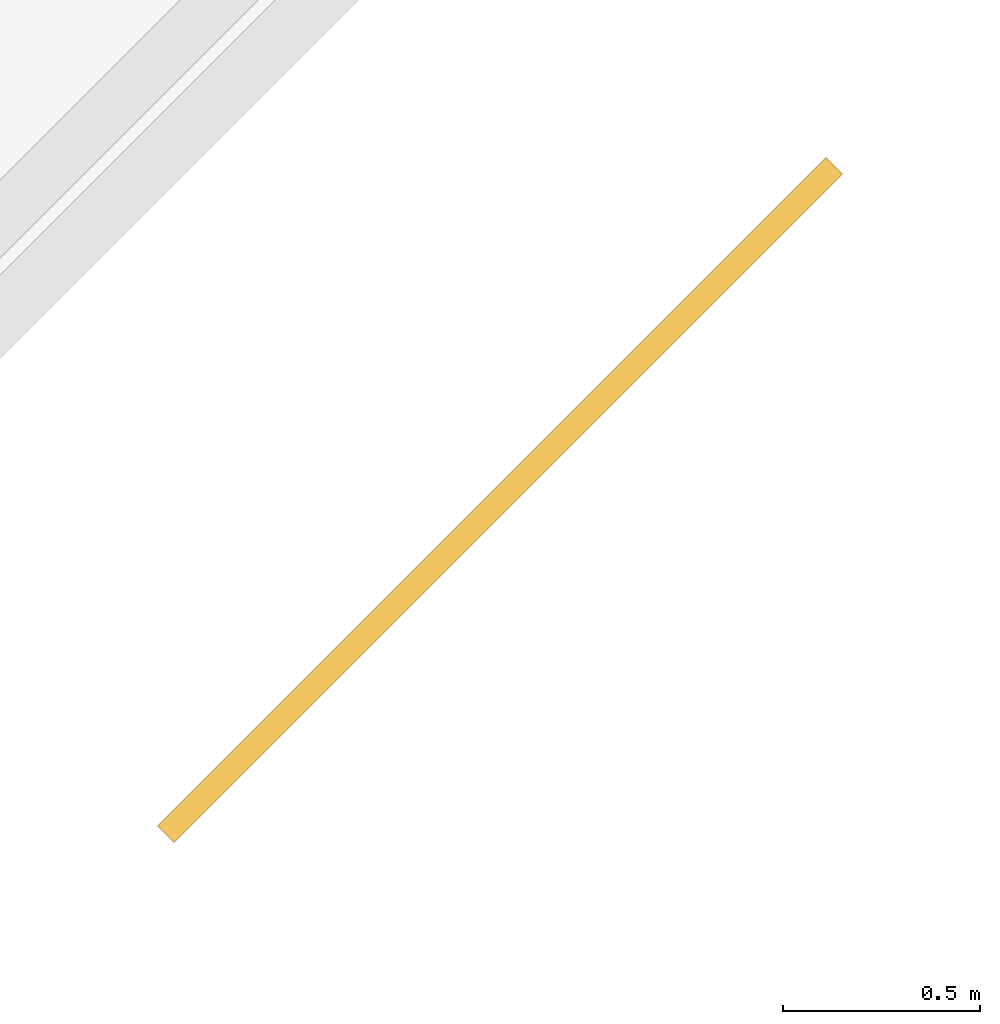
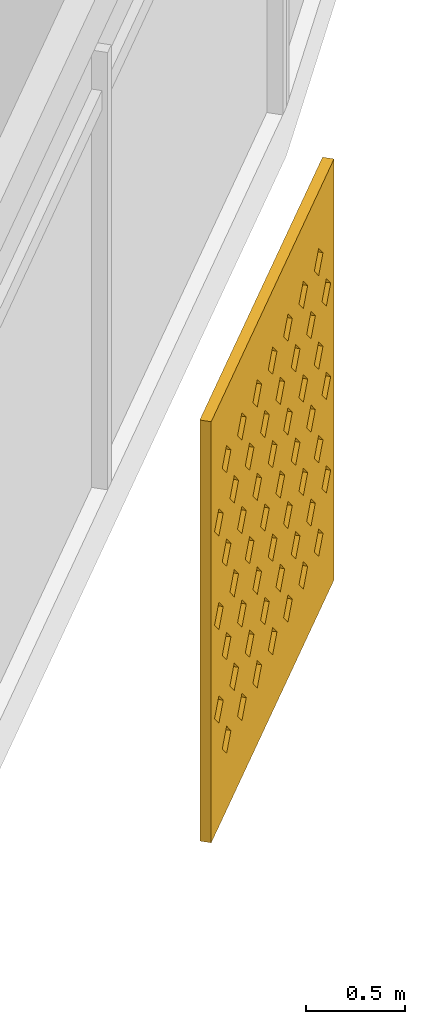
# One storey, part 29 of 29: 1 shading device.
"""IFC4 building model written with IfcOpenShell, lengths in metres."""

import ifcopenshell
import ifcopenshell.guid

model = None  # the IFC model being written
_history = None  # IfcOwnerHistory: only IFC2X3 demands one
_inside = {}  # id of a spatial element -> (the spatial element, [elements in it])
_under = {}  # id of a project, library or spatial element -> (it, [spatial elements below it])
_declared = {}  # id of a project -> (the project, [libraries it declares])
_typed = {}  # id of a type object -> (the type object, [elements of that type])
_made_of = {}  # id of a material, layer set ... -> (it, [elements and type objects made of it])


def new_model(schema):
    """Start an empty IFC model of exactly this schema.

    Asked for "IFC4X3", IfcOpenShell would pick the latest addendum, in which some entities
    have other attributes; the version numbers below select the first issue.
    IFC2X3 requires an IfcOwnerHistory on every rooted entity: one is made here for all.
    """
    global model, _history
    if schema == "IFC4X3":
        model = ifcopenshell.file(schema_version=(4, 3, 0, 0))
    else:
        model = ifcopenshell.file(schema=schema)
    _inside.clear()
    _under.clear()
    _declared.clear()
    _typed.clear()
    _made_of.clear()
    _history = None
    if model.schema == "IFC2X3":
        org = make("IfcOrganization", Name="unknown")
        user = make(
            "IfcPersonAndOrganization",
            ThePerson=make("IfcPerson", FamilyName="unknown"),
            TheOrganization=org,
        )
        app = make(
            "IfcApplication",
            ApplicationDeveloper=org,
            Version="unknown",
            ApplicationFullName="unknown",
            ApplicationIdentifier="unknown",
        )
        _history = make(
            "IfcOwnerHistory",
            OwningUser=user,
            OwningApplication=app,
            ChangeAction="ADDED",
            CreationDate=0,
        )
    return model


def make(cls, **values):
    """One entity of the class cls with the attributes given. An attribute that is None is left unset."""
    return model.create_entity(
        cls, **{name: value for name, value in values.items() if value is not None}
    )


def rooted(cls, **values):
    """An entity with a GlobalId (a new one), such as an element, a storey or a relation."""
    return make(cls, GlobalId=ifcopenshell.guid.new(), OwnerHistory=_history, **values)


def si_unit(unit_type, name, prefix=None):
    """IfcSIUnit, for example si_unit("LENGTHUNIT", "METRE", prefix="MILLI")."""
    return make("IfcSIUnit", UnitType=unit_type, Prefix=prefix, Name=name)


def assignment(units):
    """IfcUnitAssignment: the units of a project."""
    return None if units is None else make("IfcUnitAssignment", Units=units)


def point(xyz):
    """IfcCartesianPoint."""
    return None if xyz is None else make("IfcCartesianPoint", Coordinates=xyz)


def direction(xyz):
    """IfcDirection."""
    return None if xyz is None else make("IfcDirection", DirectionRatios=xyz)


def frame(location, z_axis=None, x_axis=None):
    """IfcAxis2Placement3D, a coordinate frame: its origin and axes. An axis left out is left unset."""
    return make(
        "IfcAxis2Placement3D",
        Location=point(location),
        Axis=direction(z_axis),
        RefDirection=direction(x_axis),
    )


def origin():
    """The frame at (0, 0, 0) with its axes left unset."""
    return frame((0.0, 0.0, 0.0))


def place(relative_to, where):
    """IfcLocalPlacement: puts the frame where relative to a parent placement (None: the world)."""
    return make(
        "IfcLocalPlacement", PlacementRelTo=relative_to, RelativePlacement=where
    )


def context(
    kind, dimensions, precision=None, world=None, true_north=None, identifier=None
):
    """IfcGeometricRepresentationContext, for example the 3D "Model" context."""
    return make(
        "IfcGeometricRepresentationContext",
        ContextIdentifier=identifier,
        ContextType=kind,
        CoordinateSpaceDimension=dimensions,
        Precision=precision,
        WorldCoordinateSystem=world,
        TrueNorth=true_north,
    )


def subcontext(parent, identifier, kind, view, scale=None):
    """IfcGeometricRepresentationSubContext, for example "Body" below "Model"."""
    return make(
        "IfcGeometricRepresentationSubContext",
        ContextIdentifier=identifier,
        ContextType=kind,
        ParentContext=parent,
        TargetScale=scale,
        TargetView=view,
    )


def project(units=None, contexts=None):
    """IfcProject with its units and contexts."""
    return rooted(
        "IfcProject",
        Name="project",
        RepresentationContexts=contexts,
        UnitsInContext=assignment(units),
    )


def spatial(cls, under=None, at=None, **own):
    """A site, building, storey or space (cls), placed at a placement, below another one or the project."""
    s = rooted(cls, ObjectPlacement=at, **own)
    if under is not None:
        _under.setdefault(under.id(), (under, []))[1].append(s)
    return s


def polyline(points):
    """IfcPolyline through the points."""
    return make("IfcPolyline", Points=[point(p) for p in points])


def outline(outer, holes=None, kind="AREA"):
    """IfcArbitraryClosedProfileDef: a profile drawn as a closed curve; with holes, ...WithVoids."""
    if holes is None:
        return make("IfcArbitraryClosedProfileDef", ProfileType=kind, OuterCurve=outer)
    return make(
        "IfcArbitraryProfileDefWithVoids",
        ProfileType=kind,
        OuterCurve=outer,
        InnerCurves=holes,
    )


def extrude(swept, where, along, depth):
    """IfcExtrudedAreaSolid: the profile swept, set in the frame where, extruded along a direction by depth."""
    return make(
        "IfcExtrudedAreaSolid",
        SweptArea=swept,
        Position=where,
        ExtrudedDirection=direction(along),
        Depth=depth,
    )


def shape(context_of_items, identifier, shape_type, items):
    """IfcShapeRepresentation: the items that make up one representation, for example the "Body"."""
    return make(
        "IfcShapeRepresentation",
        ContextOfItems=context_of_items,
        RepresentationIdentifier=identifier,
        RepresentationType=shape_type,
        Items=items,
    )


def material(Name=None, Category=None):
    """IfcMaterial."""
    return make("IfcMaterial", Name=Name, Category=Category)


def material_profile(
    of_material, cross_section, Name=None, Category=None, Priority=None
):
    """IfcMaterialProfile: a cross section and its material."""
    return make(
        "IfcMaterialProfile",
        Name=Name,
        Material=of_material,
        Profile=cross_section,
        Priority=Priority,
        Category=Category,
    )


def profile_set(profiles, Name=None, composite=None):
    """IfcMaterialProfileSet."""
    return make(
        "IfcMaterialProfileSet",
        Name=Name,
        MaterialProfiles=profiles,
        CompositeProfile=composite,
    )


def made_of(thing, what):
    """Note that an element or type object is made of a material, layer set ...; save() writes the relation."""
    if what is not None:
        _made_of.setdefault(what.id(), (what, []))[1].append(thing)
    return thing


def type_object(cls, material=None, **own):
    """A type object (cls), such as IfcWallType, which elements share."""
    return made_of(rooted(cls, **own), material)


def element(
    cls,
    number,
    at=None,
    inside=None,
    cuts=None,
    type_object=None,
    material=None,
    context=None,
    identifier="Body",
    shape_type=None,
    held_by="IfcProductDefinitionShape",
    body=None,
    shapes=None,
    **own,
):
    """One element of the class cls, such as IfcWall. Its Tag is "e" and its number.

    at: its placement. inside: the storey or other place that contains it. cuts: it is an
    opening in that element (IfcRelVoidsElement). A single representation is given by context,
    identifier, shape_type and body (its items); several are given by shapes. held_by: the class
    of the entity that holds the representations. save() writes the other relations.
    """
    e = rooted(cls, Tag="e%d" % number, ObjectPlacement=at, **own)
    if body is not None:
        shapes = [shape(context, identifier, shape_type, body)]
    if shapes is not None:
        e.Representation = make(held_by, Representations=shapes)
    if inside is not None:
        _inside.setdefault(inside.id(), (inside, []))[1].append(e)
    if cuts is not None:
        rooted(
            "IfcRelVoidsElement", RelatingBuildingElement=cuts, RelatedOpeningElement=e
        )
    if type_object is not None:
        _typed.setdefault(type_object.id(), (type_object, []))[1].append(e)
    return made_of(e, material)


def aggregate(whole, parts):
    """IfcRelAggregates: a whole, such as a stair, and the parts it consists of."""
    return rooted("IfcRelAggregates", RelatingObject=whole, RelatedObjects=parts)


def save(model, path):
    """Write the relations noted so far, then the file.

    IfcRelAggregates (storeys below a building ...), IfcRelContainedInSpatialStructure (elements
    in a storey), IfcRelDefinesByType, IfcRelAssociatesMaterial and IfcRelDeclares: one each for
    every whole, place, type object, material and project.
    """
    for whole, parts in _under.values():
        aggregate(whole, parts)
    for where, things in _inside.values():
        rooted(
            "IfcRelContainedInSpatialStructure",
            RelatedElements=things,
            RelatingStructure=where,
        )
    for kind, things in _typed.values():
        rooted("IfcRelDefinesByType", RelatedObjects=things, RelatingType=kind)
    for what, things in _made_of.values():
        rooted("IfcRelAssociatesMaterial", RelatedObjects=things, RelatingMaterial=what)
    for by, libraries in _declared.values():
        rooted("IfcRelDeclares", RelatingContext=by, RelatedDefinitions=libraries)
    model.write(path)


model = new_model("IFC4")

# Units and contexts
model_context = context("Model", 3, precision=1e-05, world=origin(), true_north=direction((0.0, 1.0)))
body_context = subcontext(model_context, "Body", "Model", "MODEL_VIEW")
ifc_project = project(units=[si_unit("LENGTHUNIT", "METRE"), si_unit("AREAUNIT", "SQUARE_METRE"), si_unit("VOLUMEUNIT", "CUBIC_METRE"), si_unit("PLANEANGLEUNIT", "RADIAN"), si_unit("MASSUNIT", "GRAM", prefix="KILO")], contexts=[model_context])

# Site, building, storey
site_placement = place(None, origin())
site = spatial("IfcSite", under=ifc_project, at=site_placement, CompositionType="ELEMENT")
building_placement = place(site_placement, origin())
building = spatial("IfcBuilding", under=site, at=building_placement, Name="Qamariyya Broadcast Tower", CompositionType="ELEMENT")
storey_placement = place(building_placement, frame((0.0, 0.0, 113.89990234375)))
storey = spatial("IfcBuildingStorey", under=building, at=storey_placement, Name="L25", CompositionType="ELEMENT", Elevation=113.89990234375)

# Shading device
ifc_material = material(Name="Perforated glazed terracotta", Category="masonry")
ifc_material_profile = material_profile(ifc_material, outline(polyline([(-1.199951171875, -1.300048828125), (1.199951171875, -1.300048828125), (1.199951171875, 1.300048828125), (-1.199951171875, 1.300048828125), (-1.199951171875, -1.300048828125)]), holes=[polyline([(-0.81494140625, -0.86669921875), (-0.89990234375, -0.78173828125), (-0.985107421875, -0.86669921875), (-0.89990234375, -0.95166015625), (-0.81494140625, -0.86669921875)]), polyline([(-0.514892578125, -0.86669921875), (-0.60009765625, -0.78173828125), (-0.68505859375, -0.86669921875), (-0.60009765625, -0.95166015625), (-0.514892578125, -0.86669921875)]), polyline([(-0.215087890625, -0.86669921875), (-0.300048828125, -0.78173828125), (-0.385009765625, -0.86669921875), (-0.300048828125, -0.95166015625), (-0.215087890625, -0.86669921875)]), polyline([(0.0849609375, -0.86669921875), (0.0, -0.78173828125), (-0.0849609375, -0.86669921875), (0.0, -0.95166015625), (0.0849609375, -0.86669921875)]), polyline([(0.385009765625, -0.86669921875), (0.300048828125, -0.78173828125), (0.215087890625, -0.86669921875), (0.300048828125, -0.95166015625), (0.385009765625, -0.86669921875)]), polyline([(0.68505859375, -0.86669921875), (0.60009765625, -0.78173828125), (0.514892578125, -0.86669921875), (0.60009765625, -0.95166015625), (0.68505859375, -0.86669921875)]), polyline([(0.985107421875, -0.86669921875), (0.89990234375, -0.78173828125), (0.81494140625, -0.86669921875), (0.89990234375, -0.95166015625), (0.985107421875, -0.86669921875)]), polyline([(-0.965087890625, -0.577880859375), (-1.050048828125, -0.49267578125), (-1.135009765625, -0.577880859375), (-1.050048828125, -0.662841796875), (-0.965087890625, -0.577880859375)]), polyline([(-0.6650390625, -0.577880859375), (-0.75, -0.49267578125), (-0.8349609375, -0.577880859375), (-0.75, -0.662841796875), (-0.6650390625, -0.577880859375)]), polyline([(-0.364990234375, -0.577880859375), (-0.449951171875, -0.49267578125), (-0.534912109375, -0.577880859375), (-0.449951171875, -0.662841796875), (-0.364990234375, -0.577880859375)]), polyline([(-0.06494140625, -0.577880859375), (-0.14990234375, -0.49267578125), (-0.235107421875, -0.577880859375), (-0.14990234375, -0.662841796875), (-0.06494140625, -0.577880859375)]), polyline([(0.235107421875, -0.577880859375), (0.14990234375, -0.49267578125), (0.06494140625, -0.577880859375), (0.14990234375, -0.662841796875), (0.235107421875, -0.577880859375)]), polyline([(0.534912109375, -0.577880859375), (0.449951171875, -0.49267578125), (0.364990234375, -0.577880859375), (0.449951171875, -0.662841796875), (0.534912109375, -0.577880859375)]), polyline([(0.8349609375, -0.577880859375), (0.75, -0.49267578125), (0.6650390625, -0.577880859375), (0.75, -0.662841796875), (0.8349609375, -0.577880859375)]), polyline([(1.135009765625, -0.577880859375), (1.050048828125, -0.49267578125), (0.965087890625, -0.577880859375), (1.050048828125, -0.662841796875), (1.135009765625, -0.577880859375)]), polyline([(-0.81494140625, -0.288818359375), (-0.89990234375, -0.203857421875), (-0.985107421875, -0.288818359375), (-0.89990234375, -0.373779296875), (-0.81494140625, -0.288818359375)]), polyline([(-0.514892578125, -0.288818359375), (-0.60009765625, -0.203857421875), (-0.68505859375, -0.288818359375), (-0.60009765625, -0.373779296875), (-0.514892578125, -0.288818359375)]), polyline([(-0.215087890625, -0.288818359375), (-0.300048828125, -0.203857421875), (-0.385009765625, -0.288818359375), (-0.300048828125, -0.373779296875), (-0.215087890625, -0.288818359375)]), polyline([(0.0849609375, -0.288818359375), (0.0, -0.203857421875), (-0.0849609375, -0.288818359375), (0.0, -0.373779296875), (0.0849609375, -0.288818359375)]), polyline([(0.385009765625, -0.288818359375), (0.300048828125, -0.203857421875), (0.215087890625, -0.288818359375), (0.300048828125, -0.373779296875), (0.385009765625, -0.288818359375)]), polyline([(0.68505859375, -0.288818359375), (0.60009765625, -0.203857421875), (0.514892578125, -0.288818359375), (0.60009765625, -0.373779296875), (0.68505859375, -0.288818359375)]), polyline([(0.985107421875, -0.288818359375), (0.89990234375, -0.203857421875), (0.81494140625, -0.288818359375), (0.89990234375, -0.373779296875), (0.985107421875, -0.288818359375)]), polyline([(-0.965087890625, 0.0), (-1.050048828125, 0.0849609375), (-1.135009765625, 0.0), (-1.050048828125, -0.0849609375), (-0.965087890625, 0.0)]), polyline([(-0.6650390625, 0.0), (-0.75, 0.0849609375), (-0.8349609375, 0.0), (-0.75, -0.0849609375), (-0.6650390625, 0.0)]), polyline([(-0.364990234375, 0.0), (-0.449951171875, 0.0849609375), (-0.534912109375, 0.0), (-0.449951171875, -0.0849609375), (-0.364990234375, 0.0)]), polyline([(-0.06494140625, 0.0), (-0.14990234375, 0.0849609375), (-0.235107421875, 0.0), (-0.14990234375, -0.0849609375), (-0.06494140625, 0.0)]), polyline([(0.235107421875, 0.0), (0.14990234375, 0.0849609375), (0.06494140625, 0.0), (0.14990234375, -0.0849609375), (0.235107421875, 0.0)]), polyline([(0.534912109375, 0.0), (0.449951171875, 0.0849609375), (0.364990234375, 0.0), (0.449951171875, -0.0849609375), (0.534912109375, 0.0)]), polyline([(0.8349609375, 0.0), (0.75, 0.0849609375), (0.6650390625, 0.0), (0.75, -0.0849609375), (0.8349609375, 0.0)]), polyline([(1.135009765625, 0.0), (1.050048828125, 0.0849609375), (0.965087890625, 0.0), (1.050048828125, -0.0849609375), (1.135009765625, 0.0)]), polyline([(-0.81494140625, 0.288818359375), (-0.89990234375, 0.373779296875), (-0.985107421875, 0.288818359375), (-0.89990234375, 0.203857421875), (-0.81494140625, 0.288818359375)]), polyline([(-0.514892578125, 0.288818359375), (-0.60009765625, 0.373779296875), (-0.68505859375, 0.288818359375), (-0.60009765625, 0.203857421875), (-0.514892578125, 0.288818359375)]), polyline([(-0.215087890625, 0.288818359375), (-0.300048828125, 0.373779296875), (-0.385009765625, 0.288818359375), (-0.300048828125, 0.203857421875), (-0.215087890625, 0.288818359375)]), polyline([(0.0849609375, 0.288818359375), (0.0, 0.373779296875), (-0.0849609375, 0.288818359375), (0.0, 0.203857421875), (0.0849609375, 0.288818359375)]), polyline([(0.385009765625, 0.288818359375), (0.300048828125, 0.373779296875), (0.215087890625, 0.288818359375), (0.300048828125, 0.203857421875), (0.385009765625, 0.288818359375)]), polyline([(0.68505859375, 0.288818359375), (0.60009765625, 0.373779296875), (0.514892578125, 0.288818359375), (0.60009765625, 0.203857421875), (0.68505859375, 0.288818359375)]), polyline([(0.985107421875, 0.288818359375), (0.89990234375, 0.373779296875), (0.81494140625, 0.288818359375), (0.89990234375, 0.203857421875), (0.985107421875, 0.288818359375)]), polyline([(-0.965087890625, 0.577880859375), (-1.050048828125, 0.662841796875), (-1.135009765625, 0.577880859375), (-1.050048828125, 0.49267578125), (-0.965087890625, 0.577880859375)]), polyline([(-0.6650390625, 0.577880859375), (-0.75, 0.662841796875), (-0.8349609375, 0.577880859375), (-0.75, 0.49267578125), (-0.6650390625, 0.577880859375)]), polyline([(-0.364990234375, 0.577880859375), (-0.449951171875, 0.662841796875), (-0.534912109375, 0.577880859375), (-0.449951171875, 0.49267578125), (-0.364990234375, 0.577880859375)]), polyline([(-0.06494140625, 0.577880859375), (-0.14990234375, 0.662841796875), (-0.235107421875, 0.577880859375), (-0.14990234375, 0.49267578125), (-0.06494140625, 0.577880859375)]), polyline([(0.235107421875, 0.577880859375), (0.14990234375, 0.662841796875), (0.06494140625, 0.577880859375), (0.14990234375, 0.49267578125), (0.235107421875, 0.577880859375)]), polyline([(0.534912109375, 0.577880859375), (0.449951171875, 0.662841796875), (0.364990234375, 0.577880859375), (0.449951171875, 0.49267578125), (0.534912109375, 0.577880859375)]), polyline([(0.8349609375, 0.577880859375), (0.75, 0.662841796875), (0.6650390625, 0.577880859375), (0.75, 0.49267578125), (0.8349609375, 0.577880859375)]), polyline([(1.135009765625, 0.577880859375), (1.050048828125, 0.662841796875), (0.965087890625, 0.577880859375), (1.050048828125, 0.49267578125), (1.135009765625, 0.577880859375)]), polyline([(-0.81494140625, 0.86669921875), (-0.89990234375, 0.95166015625), (-0.985107421875, 0.86669921875), (-0.89990234375, 0.78173828125), (-0.81494140625, 0.86669921875)]), polyline([(-0.514892578125, 0.86669921875), (-0.60009765625, 0.95166015625), (-0.68505859375, 0.86669921875), (-0.60009765625, 0.78173828125), (-0.514892578125, 0.86669921875)]), polyline([(-0.215087890625, 0.86669921875), (-0.300048828125, 0.95166015625), (-0.385009765625, 0.86669921875), (-0.300048828125, 0.78173828125), (-0.215087890625, 0.86669921875)]), polyline([(0.0849609375, 0.86669921875), (0.0, 0.95166015625), (-0.0849609375, 0.86669921875), (0.0, 0.78173828125), (0.0849609375, 0.86669921875)]), polyline([(0.385009765625, 0.86669921875), (0.300048828125, 0.95166015625), (0.215087890625, 0.86669921875), (0.300048828125, 0.78173828125), (0.385009765625, 0.86669921875)]), polyline([(0.68505859375, 0.86669921875), (0.60009765625, 0.95166015625), (0.514892578125, 0.86669921875), (0.60009765625, 0.78173828125), (0.68505859375, 0.86669921875)]), polyline([(0.985107421875, 0.86669921875), (0.89990234375, 0.95166015625), (0.81494140625, 0.86669921875), (0.89990234375, 0.78173828125), (0.985107421875, 0.86669921875)])]))
ifc_profile_set = profile_set([ifc_material_profile], Name="Perforated glazed terracotta")
shading_device_type = type_object("IfcShadingDeviceType", Name="Perforated terracotta screen 2400 x 2600", PredefinedType="USERDEFINED", material=ifc_profile_set)
shading_device_placement = place(storey_placement, frame((56.818603515625, -56.884521484375, 1.35009765625), z_axis=(0.707106781187, -0.707106781187, 0.0), x_axis=(0.707106781187, 0.707106781187, 0.0)))
element("IfcShadingDevice", 1, at=shading_device_placement, inside=storey, type_object=shading_device_type, Name="e-scr-L25-15-1", ObjectType="SCREEN", PredefinedType="USERDEFINED", context=body_context, shape_type="SweptSolid", body=[
    extrude(outline(polyline([(-1.199951171875, -1.300048828125), (1.199951171875, -1.300048828125), (1.199951171875, 1.300048828125), (-1.199951171875, 1.300048828125), (-1.199951171875, -1.300048828125)]), holes=[polyline([(-0.81494140625, -0.86669921875), (-0.89990234375, -0.78173828125), (-0.985107421875, -0.86669921875), (-0.89990234375, -0.95166015625), (-0.81494140625, -0.86669921875)]), polyline([(-0.514892578125, -0.86669921875), (-0.60009765625, -0.78173828125), (-0.68505859375, -0.86669921875), (-0.60009765625, -0.95166015625), (-0.514892578125, -0.86669921875)]), polyline([(-0.215087890625, -0.86669921875), (-0.300048828125, -0.78173828125), (-0.385009765625, -0.86669921875), (-0.300048828125, -0.95166015625), (-0.215087890625, -0.86669921875)]), polyline([(0.0849609375, -0.86669921875), (0.0, -0.78173828125), (-0.0849609375, -0.86669921875), (0.0, -0.95166015625), (0.0849609375, -0.86669921875)]), polyline([(0.385009765625, -0.86669921875), (0.300048828125, -0.78173828125), (0.215087890625, -0.86669921875), (0.300048828125, -0.95166015625), (0.385009765625, -0.86669921875)]), polyline([(0.68505859375, -0.86669921875), (0.60009765625, -0.78173828125), (0.514892578125, -0.86669921875), (0.60009765625, -0.95166015625), (0.68505859375, -0.86669921875)]), polyline([(0.985107421875, -0.86669921875), (0.89990234375, -0.78173828125), (0.81494140625, -0.86669921875), (0.89990234375, -0.95166015625), (0.985107421875, -0.86669921875)]), polyline([(-0.965087890625, -0.577880859375), (-1.050048828125, -0.49267578125), (-1.135009765625, -0.577880859375), (-1.050048828125, -0.662841796875), (-0.965087890625, -0.577880859375)]), polyline([(-0.6650390625, -0.577880859375), (-0.75, -0.49267578125), (-0.8349609375, -0.577880859375), (-0.75, -0.662841796875), (-0.6650390625, -0.577880859375)]), polyline([(-0.364990234375, -0.577880859375), (-0.449951171875, -0.49267578125), (-0.534912109375, -0.577880859375), (-0.449951171875, -0.662841796875), (-0.364990234375, -0.577880859375)]), polyline([(-0.06494140625, -0.577880859375), (-0.14990234375, -0.49267578125), (-0.235107421875, -0.577880859375), (-0.14990234375, -0.662841796875), (-0.06494140625, -0.577880859375)]), polyline([(0.235107421875, -0.577880859375), (0.14990234375, -0.49267578125), (0.06494140625, -0.577880859375), (0.14990234375, -0.662841796875), (0.235107421875, -0.577880859375)]), polyline([(0.534912109375, -0.577880859375), (0.449951171875, -0.49267578125), (0.364990234375, -0.577880859375), (0.449951171875, -0.662841796875), (0.534912109375, -0.577880859375)]), polyline([(0.8349609375, -0.577880859375), (0.75, -0.49267578125), (0.6650390625, -0.577880859375), (0.75, -0.662841796875), (0.8349609375, -0.577880859375)]), polyline([(1.135009765625, -0.577880859375), (1.050048828125, -0.49267578125), (0.965087890625, -0.577880859375), (1.050048828125, -0.662841796875), (1.135009765625, -0.577880859375)]), polyline([(-0.81494140625, -0.288818359375), (-0.89990234375, -0.203857421875), (-0.985107421875, -0.288818359375), (-0.89990234375, -0.373779296875), (-0.81494140625, -0.288818359375)]), polyline([(-0.514892578125, -0.288818359375), (-0.60009765625, -0.203857421875), (-0.68505859375, -0.288818359375), (-0.60009765625, -0.373779296875), (-0.514892578125, -0.288818359375)]), polyline([(-0.215087890625, -0.288818359375), (-0.300048828125, -0.203857421875), (-0.385009765625, -0.288818359375), (-0.300048828125, -0.373779296875), (-0.215087890625, -0.288818359375)]), polyline([(0.0849609375, -0.288818359375), (0.0, -0.203857421875), (-0.0849609375, -0.288818359375), (0.0, -0.373779296875), (0.0849609375, -0.288818359375)]), polyline([(0.385009765625, -0.288818359375), (0.300048828125, -0.203857421875), (0.215087890625, -0.288818359375), (0.300048828125, -0.373779296875), (0.385009765625, -0.288818359375)]), polyline([(0.68505859375, -0.288818359375), (0.60009765625, -0.203857421875), (0.514892578125, -0.288818359375), (0.60009765625, -0.373779296875), (0.68505859375, -0.288818359375)]), polyline([(0.985107421875, -0.288818359375), (0.89990234375, -0.203857421875), (0.81494140625, -0.288818359375), (0.89990234375, -0.373779296875), (0.985107421875, -0.288818359375)]), polyline([(-0.965087890625, 0.0), (-1.050048828125, 0.0849609375), (-1.135009765625, 0.0), (-1.050048828125, -0.0849609375), (-0.965087890625, 0.0)]), polyline([(-0.6650390625, 0.0), (-0.75, 0.0849609375), (-0.8349609375, 0.0), (-0.75, -0.0849609375), (-0.6650390625, 0.0)]), polyline([(-0.364990234375, 0.0), (-0.449951171875, 0.0849609375), (-0.534912109375, 0.0), (-0.449951171875, -0.0849609375), (-0.364990234375, 0.0)]), polyline([(-0.06494140625, 0.0), (-0.14990234375, 0.0849609375), (-0.235107421875, 0.0), (-0.14990234375, -0.0849609375), (-0.06494140625, 0.0)]), polyline([(0.235107421875, 0.0), (0.14990234375, 0.0849609375), (0.06494140625, 0.0), (0.14990234375, -0.0849609375), (0.235107421875, 0.0)]), polyline([(0.534912109375, 0.0), (0.449951171875, 0.0849609375), (0.364990234375, 0.0), (0.449951171875, -0.0849609375), (0.534912109375, 0.0)]), polyline([(0.8349609375, 0.0), (0.75, 0.0849609375), (0.6650390625, 0.0), (0.75, -0.0849609375), (0.8349609375, 0.0)]), polyline([(1.135009765625, 0.0), (1.050048828125, 0.0849609375), (0.965087890625, 0.0), (1.050048828125, -0.0849609375), (1.135009765625, 0.0)]), polyline([(-0.81494140625, 0.288818359375), (-0.89990234375, 0.373779296875), (-0.985107421875, 0.288818359375), (-0.89990234375, 0.203857421875), (-0.81494140625, 0.288818359375)]), polyline([(-0.514892578125, 0.288818359375), (-0.60009765625, 0.373779296875), (-0.68505859375, 0.288818359375), (-0.60009765625, 0.203857421875), (-0.514892578125, 0.288818359375)]), polyline([(-0.215087890625, 0.288818359375), (-0.300048828125, 0.373779296875), (-0.385009765625, 0.288818359375), (-0.300048828125, 0.203857421875), (-0.215087890625, 0.288818359375)]), polyline([(0.0849609375, 0.288818359375), (0.0, 0.373779296875), (-0.0849609375, 0.288818359375), (0.0, 0.203857421875), (0.0849609375, 0.288818359375)]), polyline([(0.385009765625, 0.288818359375), (0.300048828125, 0.373779296875), (0.215087890625, 0.288818359375), (0.300048828125, 0.203857421875), (0.385009765625, 0.288818359375)]), polyline([(0.68505859375, 0.288818359375), (0.60009765625, 0.373779296875), (0.514892578125, 0.288818359375), (0.60009765625, 0.203857421875), (0.68505859375, 0.288818359375)]), polyline([(0.985107421875, 0.288818359375), (0.89990234375, 0.373779296875), (0.81494140625, 0.288818359375), (0.89990234375, 0.203857421875), (0.985107421875, 0.288818359375)]), polyline([(-0.965087890625, 0.577880859375), (-1.050048828125, 0.662841796875), (-1.135009765625, 0.577880859375), (-1.050048828125, 0.49267578125), (-0.965087890625, 0.577880859375)]), polyline([(-0.6650390625, 0.577880859375), (-0.75, 0.662841796875), (-0.8349609375, 0.577880859375), (-0.75, 0.49267578125), (-0.6650390625, 0.577880859375)]), polyline([(-0.364990234375, 0.577880859375), (-0.449951171875, 0.662841796875), (-0.534912109375, 0.577880859375), (-0.449951171875, 0.49267578125), (-0.364990234375, 0.577880859375)]), polyline([(-0.06494140625, 0.577880859375), (-0.14990234375, 0.662841796875), (-0.235107421875, 0.577880859375), (-0.14990234375, 0.49267578125), (-0.06494140625, 0.577880859375)]), polyline([(0.235107421875, 0.577880859375), (0.14990234375, 0.662841796875), (0.06494140625, 0.577880859375), (0.14990234375, 0.49267578125), (0.235107421875, 0.577880859375)]), polyline([(0.534912109375, 0.577880859375), (0.449951171875, 0.662841796875), (0.364990234375, 0.577880859375), (0.449951171875, 0.49267578125), (0.534912109375, 0.577880859375)]), polyline([(0.8349609375, 0.577880859375), (0.75, 0.662841796875), (0.6650390625, 0.577880859375), (0.75, 0.49267578125), (0.8349609375, 0.577880859375)]), polyline([(1.135009765625, 0.577880859375), (1.050048828125, 0.662841796875), (0.965087890625, 0.577880859375), (1.050048828125, 0.49267578125), (1.135009765625, 0.577880859375)]), polyline([(-0.81494140625, 0.86669921875), (-0.89990234375, 0.95166015625), (-0.985107421875, 0.86669921875), (-0.89990234375, 0.78173828125), (-0.81494140625, 0.86669921875)]), polyline([(-0.514892578125, 0.86669921875), (-0.60009765625, 0.95166015625), (-0.68505859375, 0.86669921875), (-0.60009765625, 0.78173828125), (-0.514892578125, 0.86669921875)]), polyline([(-0.215087890625, 0.86669921875), (-0.300048828125, 0.95166015625), (-0.385009765625, 0.86669921875), (-0.300048828125, 0.78173828125), (-0.215087890625, 0.86669921875)]), polyline([(0.0849609375, 0.86669921875), (0.0, 0.95166015625), (-0.0849609375, 0.86669921875), (0.0, 0.78173828125), (0.0849609375, 0.86669921875)]), polyline([(0.385009765625, 0.86669921875), (0.300048828125, 0.95166015625), (0.215087890625, 0.86669921875), (0.300048828125, 0.78173828125), (0.385009765625, 0.86669921875)]), polyline([(0.68505859375, 0.86669921875), (0.60009765625, 0.95166015625), (0.514892578125, 0.86669921875), (0.60009765625, 0.78173828125), (0.68505859375, 0.86669921875)]), polyline([(0.985107421875, 0.86669921875), (0.89990234375, 0.95166015625), (0.81494140625, 0.86669921875), (0.89990234375, 0.78173828125), (0.985107421875, 0.86669921875)])]), origin(), (0.0, 0.0, 1.0), 0.06005859375),
])

save(model, "model.ifc")
